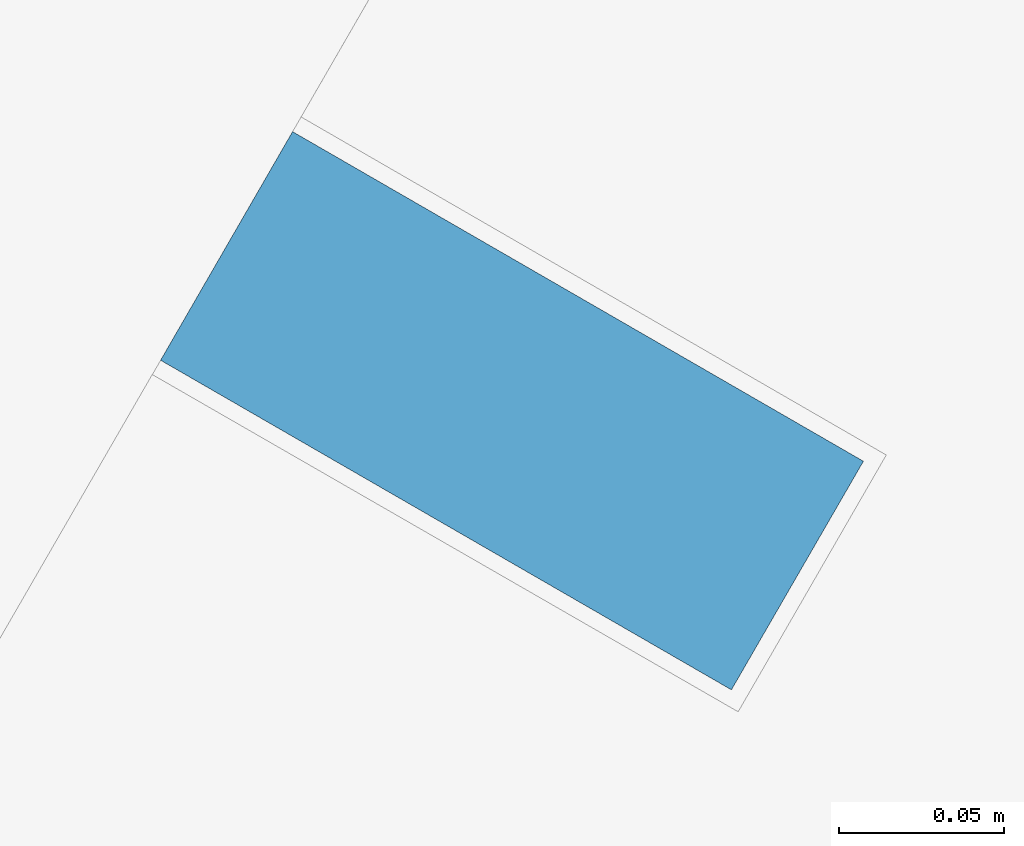
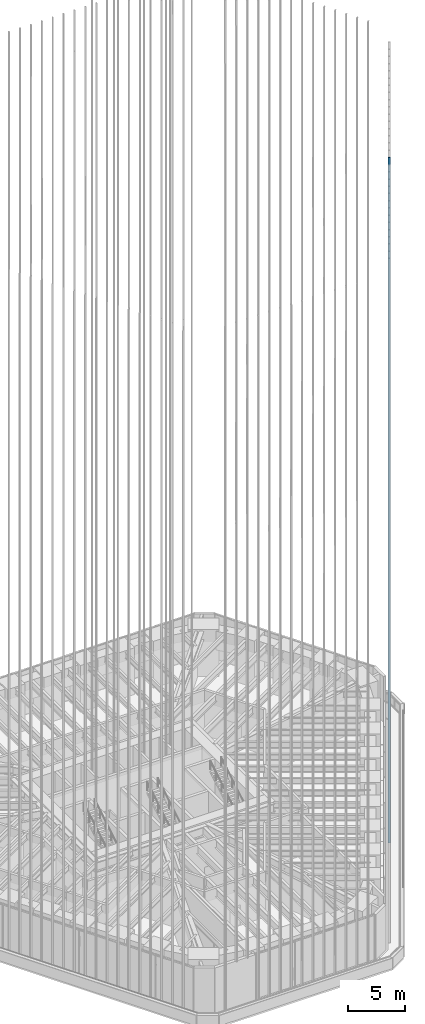
# One storey, part 100 of 228: 1 member, 1 element without a shape of its own.
"""IFC4 building model written with IfcOpenShell, lengths in metres."""

import ifcopenshell
import ifcopenshell.guid

model = None  # the IFC model being written
_history = None  # IfcOwnerHistory: only IFC2X3 demands one
_inside = {}  # id of a spatial element -> (the spatial element, [elements in it])
_under = {}  # id of a project, library or spatial element -> (it, [spatial elements below it])
_declared = {}  # id of a project -> (the project, [libraries it declares])
_typed = {}  # id of a type object -> (the type object, [elements of that type])
_made_of = {}  # id of a material, layer set ... -> (it, [elements and type objects made of it])


def new_model(schema):
    """Start an empty IFC model of exactly this schema.

    Asked for "IFC4X3", IfcOpenShell would pick the latest addendum, in which some entities
    have other attributes; the version numbers below select the first issue.
    IFC2X3 requires an IfcOwnerHistory on every rooted entity: one is made here for all.
    """
    global model, _history
    if schema == "IFC4X3":
        model = ifcopenshell.file(schema_version=(4, 3, 0, 0))
    else:
        model = ifcopenshell.file(schema=schema)
    _inside.clear()
    _under.clear()
    _declared.clear()
    _typed.clear()
    _made_of.clear()
    _history = None
    if model.schema == "IFC2X3":
        org = make("IfcOrganization", Name="unknown")
        user = make(
            "IfcPersonAndOrganization",
            ThePerson=make("IfcPerson", FamilyName="unknown"),
            TheOrganization=org,
        )
        app = make(
            "IfcApplication",
            ApplicationDeveloper=org,
            Version="unknown",
            ApplicationFullName="unknown",
            ApplicationIdentifier="unknown",
        )
        _history = make(
            "IfcOwnerHistory",
            OwningUser=user,
            OwningApplication=app,
            ChangeAction="ADDED",
            CreationDate=0,
        )
    return model


def make(cls, **values):
    """One entity of the class cls with the attributes given. An attribute that is None is left unset."""
    return model.create_entity(
        cls, **{name: value for name, value in values.items() if value is not None}
    )


def rooted(cls, **values):
    """An entity with a GlobalId (a new one), such as an element, a storey or a relation."""
    return make(cls, GlobalId=ifcopenshell.guid.new(), OwnerHistory=_history, **values)


def si_unit(unit_type, name, prefix=None):
    """IfcSIUnit, for example si_unit("LENGTHUNIT", "METRE", prefix="MILLI")."""
    return make("IfcSIUnit", UnitType=unit_type, Prefix=prefix, Name=name)


def assignment(units):
    """IfcUnitAssignment: the units of a project."""
    return None if units is None else make("IfcUnitAssignment", Units=units)


def point(xyz):
    """IfcCartesianPoint."""
    return None if xyz is None else make("IfcCartesianPoint", Coordinates=xyz)


def direction(xyz):
    """IfcDirection."""
    return None if xyz is None else make("IfcDirection", DirectionRatios=xyz)


def frame(location, z_axis=None, x_axis=None):
    """IfcAxis2Placement3D, a coordinate frame: its origin and axes. An axis left out is left unset."""
    return make(
        "IfcAxis2Placement3D",
        Location=point(location),
        Axis=direction(z_axis),
        RefDirection=direction(x_axis),
    )


def frame_2d(location, x_axis=None):
    """IfcAxis2Placement2D, a coordinate frame in the plane: its origin and x axis."""
    return make(
        "IfcAxis2Placement2D", Location=point(location), RefDirection=direction(x_axis)
    )


def origin():
    """The frame at (0, 0, 0) with its axes left unset."""
    return frame((0.0, 0.0, 0.0))


def origin_2d():
    """The frame at (0, 0) in the plane with its x axis left unset."""
    return frame_2d((0.0, 0.0))


def place(relative_to, where):
    """IfcLocalPlacement: puts the frame where relative to a parent placement (None: the world)."""
    return make(
        "IfcLocalPlacement", PlacementRelTo=relative_to, RelativePlacement=where
    )


def context(
    kind, dimensions, precision=None, world=None, true_north=None, identifier=None
):
    """IfcGeometricRepresentationContext, for example the 3D "Model" context."""
    return make(
        "IfcGeometricRepresentationContext",
        ContextIdentifier=identifier,
        ContextType=kind,
        CoordinateSpaceDimension=dimensions,
        Precision=precision,
        WorldCoordinateSystem=world,
        TrueNorth=true_north,
    )


def subcontext(parent, identifier, kind, view, scale=None):
    """IfcGeometricRepresentationSubContext, for example "Body" below "Model"."""
    return make(
        "IfcGeometricRepresentationSubContext",
        ContextIdentifier=identifier,
        ContextType=kind,
        ParentContext=parent,
        TargetScale=scale,
        TargetView=view,
    )


def project(units=None, contexts=None):
    """IfcProject with its units and contexts."""
    return rooted(
        "IfcProject",
        Name="project",
        RepresentationContexts=contexts,
        UnitsInContext=assignment(units),
    )


def spatial(cls, under=None, at=None, **own):
    """A site, building, storey or space (cls), placed at a placement, below another one or the project."""
    s = rooted(cls, ObjectPlacement=at, **own)
    if under is not None:
        _under.setdefault(under.id(), (under, []))[1].append(s)
    return s


def profile(cls, at=None, kind="AREA", **sizes):
    """A parametric profile (cls). Its sizes go by their IFC names, for example OverallWidth=200.0."""
    return make(cls, ProfileType=kind, Position=at, **sizes)


def rectangle(**sizes):
    """IfcRectangleProfileDef."""
    return profile("IfcRectangleProfileDef", **sizes)


def extrude(swept, where, along, depth):
    """IfcExtrudedAreaSolid: the profile swept, set in the frame where, extruded along a direction by depth."""
    return make(
        "IfcExtrudedAreaSolid",
        SweptArea=swept,
        Position=where,
        ExtrudedDirection=direction(along),
        Depth=depth,
    )


def shape(context_of_items, identifier, shape_type, items):
    """IfcShapeRepresentation: the items that make up one representation, for example the "Body"."""
    return make(
        "IfcShapeRepresentation",
        ContextOfItems=context_of_items,
        RepresentationIdentifier=identifier,
        RepresentationType=shape_type,
        Items=items,
    )


def material(Name=None, Category=None):
    """IfcMaterial."""
    return make("IfcMaterial", Name=Name, Category=Category)


def material_profile(
    of_material, cross_section, Name=None, Category=None, Priority=None
):
    """IfcMaterialProfile: a cross section and its material."""
    return make(
        "IfcMaterialProfile",
        Name=Name,
        Material=of_material,
        Profile=cross_section,
        Priority=Priority,
        Category=Category,
    )


def profile_set(profiles, Name=None, composite=None):
    """IfcMaterialProfileSet."""
    return make(
        "IfcMaterialProfileSet",
        Name=Name,
        MaterialProfiles=profiles,
        CompositeProfile=composite,
    )


def made_of(thing, what):
    """Note that an element or type object is made of a material, layer set ...; save() writes the relation."""
    if what is not None:
        _made_of.setdefault(what.id(), (what, []))[1].append(thing)
    return thing


def type_object(cls, material=None, **own):
    """A type object (cls), such as IfcWallType, which elements share."""
    return made_of(rooted(cls, **own), material)


def element(
    cls,
    number,
    at=None,
    inside=None,
    cuts=None,
    type_object=None,
    material=None,
    context=None,
    identifier="Body",
    shape_type=None,
    held_by="IfcProductDefinitionShape",
    body=None,
    shapes=None,
    **own,
):
    """One element of the class cls, such as IfcWall. Its Tag is "e" and its number.

    at: its placement. inside: the storey or other place that contains it. cuts: it is an
    opening in that element (IfcRelVoidsElement). A single representation is given by context,
    identifier, shape_type and body (its items); several are given by shapes. held_by: the class
    of the entity that holds the representations. save() writes the other relations.
    """
    e = rooted(cls, Tag="e%d" % number, ObjectPlacement=at, **own)
    if body is not None:
        shapes = [shape(context, identifier, shape_type, body)]
    if shapes is not None:
        e.Representation = make(held_by, Representations=shapes)
    if inside is not None:
        _inside.setdefault(inside.id(), (inside, []))[1].append(e)
    if cuts is not None:
        rooted(
            "IfcRelVoidsElement", RelatingBuildingElement=cuts, RelatedOpeningElement=e
        )
    if type_object is not None:
        _typed.setdefault(type_object.id(), (type_object, []))[1].append(e)
    return made_of(e, material)


def aggregate(whole, parts):
    """IfcRelAggregates: a whole, such as a stair, and the parts it consists of."""
    return rooted("IfcRelAggregates", RelatingObject=whole, RelatedObjects=parts)


def save(model, path):
    """Write the relations noted so far, then the file.

    IfcRelAggregates (storeys below a building ...), IfcRelContainedInSpatialStructure (elements
    in a storey), IfcRelDefinesByType, IfcRelAssociatesMaterial and IfcRelDeclares: one each for
    every whole, place, type object, material and project.
    """
    for whole, parts in _under.values():
        aggregate(whole, parts)
    for where, things in _inside.values():
        rooted(
            "IfcRelContainedInSpatialStructure",
            RelatedElements=things,
            RelatingStructure=where,
        )
    for kind, things in _typed.values():
        rooted("IfcRelDefinesByType", RelatedObjects=things, RelatingType=kind)
    for what, things in _made_of.values():
        rooted("IfcRelAssociatesMaterial", RelatedObjects=things, RelatingMaterial=what)
    for by, libraries in _declared.values():
        rooted("IfcRelDeclares", RelatingContext=by, RelatedDefinitions=libraries)
    model.write(path)


model = new_model("IFC4")

# Units and contexts
model_context = context("Model", 3, precision=1e-05, world=origin(), true_north=direction((0.0, 1.0)))
body_context = subcontext(model_context, "Body", "Model", "MODEL_VIEW")
ifc_project = project(units=[si_unit("LENGTHUNIT", "METRE"), si_unit("AREAUNIT", "SQUARE_METRE"), si_unit("VOLUMEUNIT", "CUBIC_METRE"), si_unit("PLANEANGLEUNIT", "RADIAN"), si_unit("MASSUNIT", "GRAM", prefix="KILO")], contexts=[model_context])

# Site, building, storey
site_placement = place(None, origin())
site = spatial("IfcSite", under=ifc_project, at=site_placement, CompositionType="ELEMENT")
building_placement = place(site_placement, origin())
building = spatial("IfcBuilding", under=site, at=building_placement, Name="Sandreach Pilgrim Tower", CompositionType="ELEMENT")
storey_placement = place(building_placement, frame((0.0, 0.0, 178.199951171875)))
storey = spatial("IfcBuildingStorey", under=building, at=storey_placement, Name="L44", CompositionType="ELEMENT", Elevation=178.199951171875)

# Curtain wall, member
ifc_material_1 = material(Name="Aluminium framed curtain wall", Category="aluminium")
curtain_wall_type = type_object("IfcCurtainWallType", Name="Upper hotel tower curtain wall", PredefinedType="NOTDEFINED", material=ifc_material_1)
curtain_wall_placement = place(storey_placement, origin())
curtain_wall = element("IfcCurtainWall", 1, at=curtain_wall_placement, inside=storey, type_object=curtain_wall_type, Name="CW-3 L44 SE", PredefinedType="NOTDEFINED")
ifc_material_2 = material(Name="Extruded terracotta on aluminium core", Category="masonry")
ifc_material_profile = material_profile(ifc_material_2, rectangle(XDim=0.080078125, YDim=0.199951171875, at=origin_2d()), Name="TBE 80X200")
ifc_profile_set = profile_set([ifc_material_profile], Name="Extruded terracotta on aluminium core")
member_type = type_object("IfcMemberType", Name="Terracotta baguette east", PredefinedType="USERDEFINED", material=ifc_profile_set)
member_placement = place(storey_placement, frame((18.120849609375, -11.73388671875, 0.0), z_axis=(0.0, 0.0, 1.0), x_axis=(-0.5, -0.866025403784, 0.0)))
member = element("IfcMember", 2, at=member_placement, type_object=member_type, Name="Baguette Z3 SE17", ObjectType="BAGUETTE", PredefinedType="USERDEFINED", context=body_context, shape_type="SweptSolid", body=[
    extrude(rectangle(XDim=0.080078125, YDim=0.199951171875, at=origin_2d()), origin(), (0.0, 0.0, 1.0), 73.239990234375),
])
aggregate(curtain_wall, [member])

save(model, "model.ifc")
